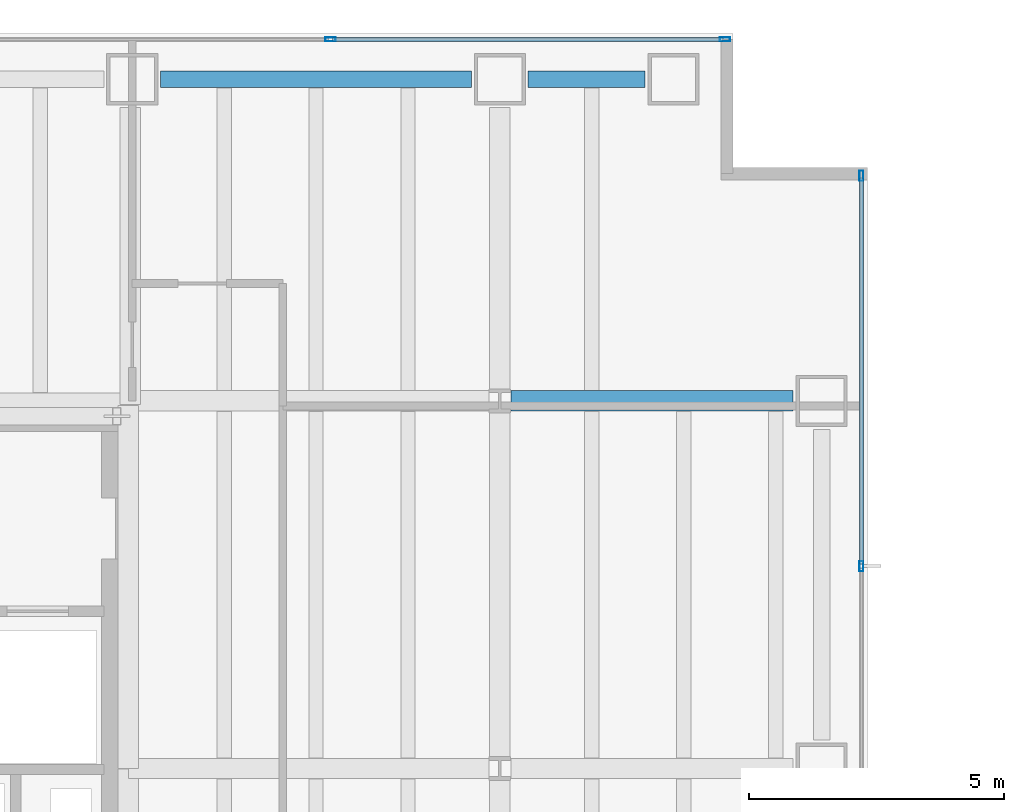
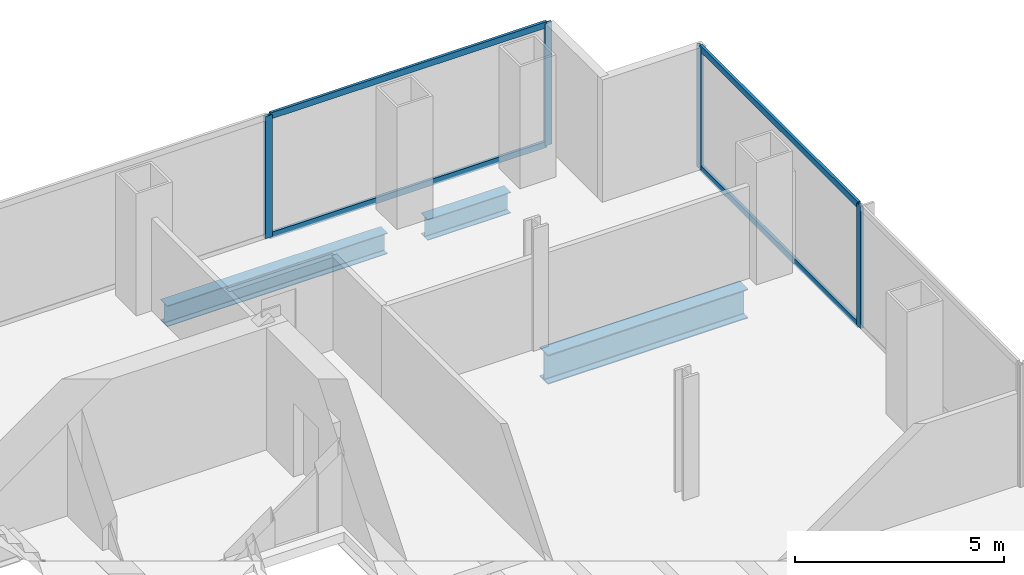
# One storey, part 18 of 25: 8 members, 3 beams, 2 elements without a shape of their own.
"""IFC4 building model written with IfcOpenShell, lengths in metres."""

from ifc_helpers import new_model, si_unit, direction, frame, origin, origin_2d, place, context, subcontext, project, spatial, hollow_rectangle, i_section, extrude, material, material_profile, profile_set, type_object, element, aggregate, save


model = new_model("IFC4")

# Units and contexts
model_context = context("Model", 3, precision=1e-05, world=origin(), true_north=direction((0.0, 1.0)))
body_context = subcontext(model_context, "Body", "Model", "MODEL_VIEW")
ifc_project = project(units=[si_unit("LENGTHUNIT", "METRE"), si_unit("AREAUNIT", "SQUARE_METRE"), si_unit("VOLUMEUNIT", "CUBIC_METRE"), si_unit("PLANEANGLEUNIT", "RADIAN"), si_unit("MASSUNIT", "GRAM", prefix="KILO")], contexts=[model_context])

# Site, building, storey
site_placement = place(None, origin())
site = spatial("IfcSite", under=ifc_project, at=site_placement, CompositionType="ELEMENT")
building_placement = place(site_placement, origin())
building = spatial("IfcBuilding", under=site, at=building_placement, Name="Cobrela Telecom Tower", CompositionType="ELEMENT")
storey_placement = place(building_placement, frame((0.0, 0.0, 46.550048828125)))
storey = spatial("IfcBuildingStorey", under=building, at=storey_placement, Name="L11", CompositionType="ELEMENT", Elevation=46.550048828125)

# Beams
ifc_material_1 = material(Name="Steel ASTM A992 Grade 50", Category="steel")
ifc_material_profile_1 = material_profile(ifc_material_1, i_section(OverallWidth=0.39892578125, OverallDepth=0.85595703125, WebThickness=0.018310546875, FlangeThickness=0.029296875, FilletRadius=0.02001953125, at=origin_2d()), Name="W33X201")
ifc_profile_set_1 = profile_set([ifc_material_profile_1], Name="Steel ASTM A992 Grade 50")
beam_type_1 = type_object("IfcBeamType", Name="BM-GIRD-03", PredefinedType="USERDEFINED", material=ifc_profile_set_1)
beam_1_placement = place(storey_placement, frame((21.81591796875, 36.0, -0.7080078125), z_axis=(1.0, 0.0, 0.0), x_axis=(0.0, 1.0, 0.0)))
element("IfcBeam", 1, at=beam_1_placement, inside=storey, type_object=beam_type_1, Name="L11 Primary Girder X28", ObjectType="GIRDER", PredefinedType="USERDEFINED", context=body_context, shape_type="SweptSolid", body=[
    extrude(i_section(OverallWidth=0.39892578125, OverallDepth=0.85595703125, WebThickness=0.018310546875, FlangeThickness=0.029296875, FilletRadius=0.02001953125, at=origin_2d()), origin(), (0.0, 0.0, 1.0), 5.529052734375),
])
ifc_material_profile_2 = material_profile(ifc_material_1, i_section(OverallWidth=0.324951171875, OverallDepth=0.612060546875, WebThickness=0.0126953125, FlangeThickness=0.01904296875, FilletRadius=0.014892578125, at=origin_2d()), Name="W24X104")
ifc_profile_set_2 = profile_set([ifc_material_profile_2], Name="Steel ASTM A992 Grade 50")
beam_type_2 = type_object("IfcBeamType", Name="BM-SPAND-02", PredefinedType="SPANDREL", material=ifc_profile_set_2)
beam_2_placement = place(storey_placement, frame((14.955078125, 42.300048828125, -0.5859375), z_axis=(1.0, 0.0, 0.0), x_axis=(0.0, 1.0, 0.0)))
element("IfcBeam", 2, at=beam_2_placement, inside=storey, type_object=beam_type_2, Name="L11 Perimeter Spandrel X30", PredefinedType="SPANDREL", context=body_context, shape_type="SweptSolid", body=[
    extrude(i_section(OverallWidth=0.324951171875, OverallDepth=0.612060546875, WebThickness=0.0126953125, FlangeThickness=0.01904296875, FilletRadius=0.014892578125, at=origin_2d()), origin(), (0.0, 0.0, 1.0), 6.08984375),
])
beam_3_placement = place(storey_placement, frame((22.155029296875, 42.300048828125, -0.5859375), z_axis=(1.0, 0.0, 0.0), x_axis=(0.0, 1.0, 0.0)))
element("IfcBeam", 3, at=beam_3_placement, inside=storey, type_object=beam_type_2, Name="L11 Perimeter Spandrel X31", PredefinedType="SPANDREL", context=body_context, shape_type="SweptSolid", body=[
    extrude(i_section(OverallWidth=0.324951171875, OverallDepth=0.612060546875, WebThickness=0.0126953125, FlangeThickness=0.01904296875, FilletRadius=0.014892578125, at=origin_2d()), origin(), (0.0, 0.0, 1.0), 2.2900390625),
])

# Curtain wall, members
ifc_material_2 = material(Name="Anodized Bronze Aluminium 6063-T6", Category="aluminium")
curtain_wall_type = type_object("IfcCurtainWallType", Name="CW-SYS-DATA", PredefinedType="USERDEFINED", material=ifc_material_2)
curtain_wall_1_placement = place(storey_placement, origin())
curtain_wall_1 = element("IfcCurtainWall", 4, at=curtain_wall_1_placement, inside=storey, type_object=curtain_wall_type, Name="L11 Unitised Bronze Curtain Wall 07", ObjectType="UNITISED CURTAIN WALL", PredefinedType="USERDEFINED")
ifc_material_profile_3 = material_profile(ifc_material_2, hollow_rectangle(XDim=0.080078125, YDim=0.199951171875, WallThickness=0.00390625, at=origin_2d()), Name="ALU 80x200x4")
ifc_profile_set_3 = profile_set([ifc_material_profile_3], Name="Anodized Bronze Aluminium 6063-T6")
member_type_1 = type_object("IfcMemberType", Name="CW-SYS-DATA-MUL", PredefinedType="MULLION", material=ifc_profile_set_3)
member_1_placement = place(storey_placement, frame((18.283447265625, 43.080078125, 0.0), z_axis=(0.0, 0.0, 1.0), x_axis=(0.0, 1.0, 0.0)))
member_1 = element("IfcMember", 5, at=member_1_placement, type_object=member_type_1, Name="CW-DATA mullion 3", PredefinedType="MULLION", context=body_context, shape_type="SweptSolid", body=[
    extrude(hollow_rectangle(XDim=0.080078125, YDim=0.199951171875, WallThickness=0.00390625, at=origin_2d()), origin(), (0.0, 0.0, 1.0), 3.570068359375),
])
member_2_placement = place(storey_placement, frame((26.010009765625, 43.080078125, 0.0), z_axis=(0.0, 0.0, 1.0), x_axis=(0.0, 1.0, 0.0)))
member_2 = element("IfcMember", 6, at=member_2_placement, type_object=member_type_1, Name="CW-DATA mullion 4", PredefinedType="MULLION", context=body_context, shape_type="SweptSolid", body=[
    extrude(hollow_rectangle(XDim=0.080078125, YDim=0.199951171875, WallThickness=0.00390625, at=origin_2d()), origin(), (0.0, 0.0, 1.0), 3.570068359375),
])

curtain_wall_2_placement = place(storey_placement, origin())
curtain_wall_2 = element("IfcCurtainWall", 7, at=curtain_wall_2_placement, inside=storey, type_object=curtain_wall_type, Name="L11 Unitised Bronze Curtain Wall 10", ObjectType="UNITISED CURTAIN WALL", PredefinedType="USERDEFINED")
member_3_placement = place(storey_placement, frame((28.679931640625, 40.409912109375, 0.0), z_axis=(0.0, 0.0, 1.0), x_axis=(1.0, 0.0, 0.0)))
member_3 = element("IfcMember", 8, at=member_3_placement, type_object=member_type_1, Name="CW-DATA mullion 1", PredefinedType="MULLION", context=body_context, shape_type="SweptSolid", body=[
    extrude(hollow_rectangle(XDim=0.080078125, YDim=0.199951171875, WallThickness=0.00390625, at=origin_2d()), origin(), (0.0, 0.0, 1.0), 3.570068359375),
])
member_4_placement = place(storey_placement, frame((28.679931640625, 32.764892578125, 0.0), z_axis=(0.0, 0.0, 1.0), x_axis=(1.0, 0.0, 0.0)))
member_4 = element("IfcMember", 9, at=member_4_placement, type_object=member_type_1, Name="CW-DATA mullion 2", PredefinedType="MULLION", context=body_context, shape_type="SweptSolid", body=[
    extrude(hollow_rectangle(XDim=0.080078125, YDim=0.199951171875, WallThickness=0.00390625, at=origin_2d()), origin(), (0.0, 0.0, 1.0), 3.570068359375),
])

# Member
ifc_material_profile_4 = material_profile(ifc_material_2, hollow_rectangle(XDim=0.074951171875, YDim=0.179931640625, WallThickness=0.00390625, at=origin_2d()), Name="ALU 75x180x4")
ifc_profile_set_4 = profile_set([ifc_material_profile_4], Name="Anodized Bronze Aluminium 6063-T6")
member_type_2 = type_object("IfcMemberType", Name="CW-SYS-DATA-TRN", PredefinedType="USERDEFINED", material=ifc_profile_set_4)
member_5_placement = place(storey_placement, frame((18.3232421875, 43.080078125, 0.037353515625), z_axis=(1.0, 0.0, 0.0), x_axis=(0.0, 1.0, 0.0)))
member_5 = element("IfcMember", 10, at=member_5_placement, type_object=member_type_2, Name="CW-DATA transom 3.1", ObjectType="TRANSOM", PredefinedType="USERDEFINED", context=body_context, shape_type="SweptSolid", body=[
    extrude(hollow_rectangle(XDim=0.074951171875, YDim=0.179931640625, WallThickness=0.00390625, at=origin_2d()), origin(), (0.0, 0.0, 1.0), 7.646728515625),
])

member_6_placement = place(storey_placement, frame((18.3232421875, 43.080078125, 3.532470703125), z_axis=(1.0, 0.0, 0.0), x_axis=(0.0, 1.0, 0.0)))
member_6 = element("IfcMember", 11, at=member_6_placement, type_object=member_type_2, Name="CW-DATA transom 3.2", ObjectType="TRANSOM", PredefinedType="USERDEFINED", context=body_context, shape_type="SweptSolid", body=[
    extrude(hollow_rectangle(XDim=0.074951171875, YDim=0.179931640625, WallThickness=0.00390625, at=origin_2d()), origin(), (0.0, 0.0, 1.0), 7.646728515625),
])

aggregate(curtain_wall_1, [member_1, member_2, member_5, member_6])

member_7_placement = place(storey_placement, frame((28.679931640625, 40.3701171875, 0.037353515625), z_axis=(0.0, -1.0, 0.0), x_axis=(1.0, 0.0, 0.0)))
member_7 = element("IfcMember", 12, at=member_7_placement, type_object=member_type_2, Name="CW-DATA transom 1.1", ObjectType="TRANSOM", PredefinedType="USERDEFINED", context=body_context, shape_type="SweptSolid", body=[
    extrude(hollow_rectangle(XDim=0.074951171875, YDim=0.179931640625, WallThickness=0.00390625, at=origin_2d()), origin(), (0.0, 0.0, 1.0), 7.565185546875),
])

member_8_placement = place(storey_placement, frame((28.679931640625, 40.3701171875, 3.532470703125), z_axis=(0.0, -1.0, 0.0), x_axis=(1.0, 0.0, 0.0)))
member_8 = element("IfcMember", 13, at=member_8_placement, type_object=member_type_2, Name="CW-DATA transom 1.2", ObjectType="TRANSOM", PredefinedType="USERDEFINED", context=body_context, shape_type="SweptSolid", body=[
    extrude(hollow_rectangle(XDim=0.074951171875, YDim=0.179931640625, WallThickness=0.00390625, at=origin_2d()), origin(), (0.0, 0.0, 1.0), 7.565185546875),
])

aggregate(curtain_wall_2, [member_3, member_4, member_7, member_8])

save(model, "model.ifc")
